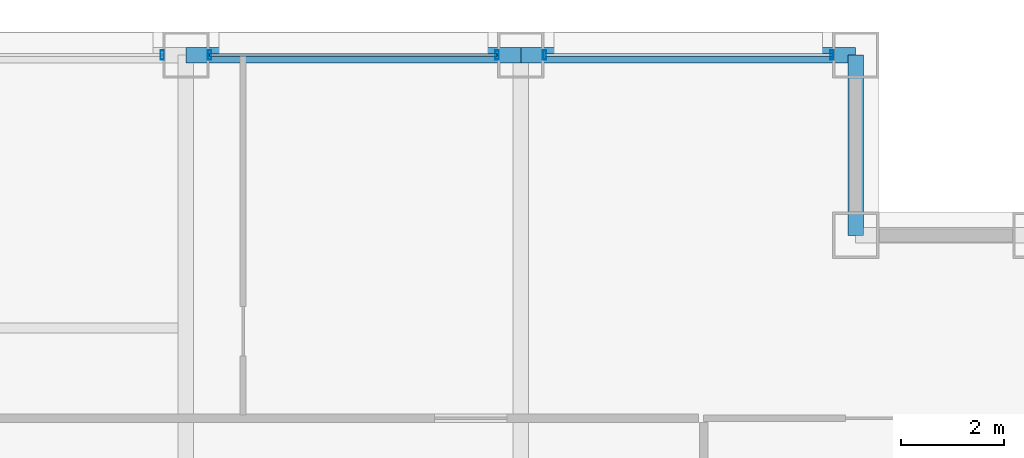
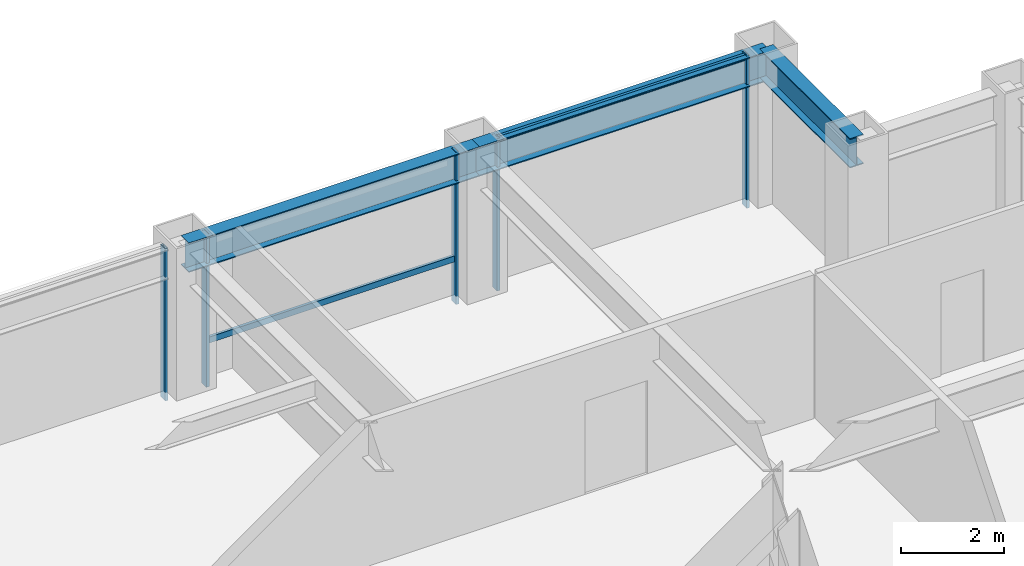
# One storey, part 21 of 30: 7 members, 3 beams, 3 elements without a shape of their own.
"""IFC4 building model written with IfcOpenShell, lengths in metres."""

from ifc_helpers import new_model, si_unit, direction, frame, origin, origin_2d, place, context, subcontext, project, spatial, hollow_rectangle, i_section, extrude, material, layer, layer_set, material_profile, profile_set, type_object, element, aggregate, save


model = new_model("IFC4")

# Units and contexts
model_context = context("Model", 3, precision=1e-05, world=origin(), true_north=direction((0.0, 1.0)))
body_context = subcontext(model_context, "Body", "Model", "MODEL_VIEW")
ifc_project = project(units=[si_unit("LENGTHUNIT", "METRE"), si_unit("AREAUNIT", "SQUARE_METRE"), si_unit("VOLUMEUNIT", "CUBIC_METRE"), si_unit("PLANEANGLEUNIT", "RADIAN"), si_unit("MASSUNIT", "GRAM", prefix="KILO")], contexts=[model_context])

# Site, building, storey
site_placement = place(None, origin())
site = spatial("IfcSite", under=ifc_project, at=site_placement, CompositionType="ELEMENT")
building_placement = place(site_placement, origin())
building = spatial("IfcBuilding", under=site, at=building_placement, Name="Brelmoor Portico Tower", CompositionType="ELEMENT")
storey_placement = place(building_placement, frame((0.0, 0.0, 74.39990234375)))
storey = spatial("IfcBuildingStorey", under=building, at=storey_placement, Name="L19", CompositionType="ELEMENT", Elevation=74.39990234375)

# Beams
ifc_material_1 = material(Name="Steel Q355B", Category="steel")
ifc_material_profile_1 = material_profile(ifc_material_1, i_section(OverallWidth=0.300048828125, OverallDepth=0.699951171875, WebThickness=0.012939453125, FlangeThickness=0.02392578125, at=origin_2d()), Name="HN 700x300x13x24")
ifc_profile_set_1 = profile_set([ifc_material_profile_1], Name="Steel Q355B")
beam_type = type_object("IfcBeamType", Name="BM-SP-700", PredefinedType="SPANDREL", material=ifc_profile_set_1)
for number, where, z_axis, x_axis, name in (
    (1, (8.050048828125, 21.550048828125, 3.050048828125), (1.0, 0.0, 0.0), (0.0, 1.0, 0.0), "L19 Perimeter Spandrel Beam SP-13"),
    (2, (14.550048828125, 21.550048828125, 3.050048828125), (1.0, 0.0, 0.0), (0.0, 1.0, 0.0), "L19 Perimeter Spandrel Beam SP-14"),
):
    element("IfcBeam", number, at=place(storey_placement, frame(where, z_axis=z_axis, x_axis=x_axis)), inside=storey, type_object=beam_type, Name=name, PredefinedType="SPANDREL", context=body_context, shape_type="SweptSolid", body=[
        extrude(i_section(OverallWidth=0.300048828125, OverallDepth=0.699951171875, WebThickness=0.012939453125, FlangeThickness=0.02392578125, at=origin_2d()), origin(), (0.0, 0.0, 1.0), 6.5),
    ])
beam_placement = place(storey_placement, frame((21.050048828125, 18.050048828125, 3.050048828125), z_axis=(0.0, 1.0, 0.0), x_axis=(-1.0, 0.0, 0.0)))
element("IfcBeam", 3, at=beam_placement, inside=storey, type_object=beam_type, Name="L19 Perimeter Spandrel Beam SP-21", PredefinedType="SPANDREL", context=body_context, shape_type="SweptSolid", body=[
    extrude(i_section(OverallWidth=0.300048828125, OverallDepth=0.699951171875, WebThickness=0.012939453125, FlangeThickness=0.02392578125, at=origin_2d()), origin(), (0.0, 0.0, 1.0), 3.5),
])

# Curtain wall, member
ifc_material_2 = material(Name="Anodised Aluminium Alloy 6063-T6", Category="aluminium")
ifc_layer_1 = layer(ifc_material_2, 0.179931640625)
ifc_layer_set_1 = layer_set([ifc_layer_1], Name="Anodised Aluminium Alloy 6063-T6")
curtain_wall_type_1 = type_object("IfcCurtainWallType", Name="CW-TOWER-Z1-XB", PredefinedType="NOTDEFINED", material=ifc_layer_set_1)
curtain_wall_1_placement = place(storey_placement, origin())
curtain_wall_1 = element("IfcCurtainWall", 4, at=curtain_wall_1_placement, inside=storey, type_object=curtain_wall_type_1, Name="L19 Curtain Wall CW-L19-02-3", PredefinedType="NOTDEFINED")
ifc_material_profile_2 = material_profile(ifc_material_2, hollow_rectangle(XDim=0.06494140625, YDim=0.179931640625, WallThickness=0.00390625, at=origin_2d()), Name="ALU MULLION 65x180")
ifc_profile_set_2 = profile_set([ifc_material_profile_2], Name="Anodised Aluminium Alloy 6063-T6")
member_type_1 = type_object("IfcMemberType", Name="MB-CW-MULL-180", PredefinedType="MULLION", material=ifc_profile_set_2)
member_1_placement = place(storey_placement, frame((7.590087890625, 21.550048828125, -0.199951171875), z_axis=(0.0, 0.0, 1.0), x_axis=(1.0, 0.0, 0.0)))
member_1 = element("IfcMember", 5, at=member_1_placement, type_object=member_type_1, Name="CW-L19-02-3 Mullion 01", PredefinedType="MULLION", context=body_context, shape_type="SweptSolid", body=[
    extrude(hollow_rectangle(XDim=0.06494140625, YDim=0.179931640625, WallThickness=0.00390625, at=origin_2d()), origin(), (0.0, 0.0, 1.0), 3.60009765625),
])
aggregate(curtain_wall_1, [member_1])

# Curtain wall, members
ifc_layer_2 = layer(ifc_material_2, 0.179931640625)
ifc_layer_set_2 = layer_set([ifc_layer_2], Name="Anodised Aluminium Alloy 6063-T6")
curtain_wall_type_2 = type_object("IfcCurtainWallType", Name="CW-TOWER-Z1", PredefinedType="NOTDEFINED", material=ifc_layer_set_2)
curtain_wall_2_placement = place(storey_placement, origin())
curtain_wall_2 = element("IfcCurtainWall", 6, at=curtain_wall_2_placement, inside=storey, type_object=curtain_wall_type_2, Name="L19 Curtain Wall CW-L19-02-4", PredefinedType="NOTDEFINED")
member_2_placement = place(storey_placement, frame((8.510009765625, 21.550048828125, -0.199951171875), z_axis=(0.0, 0.0, 1.0), x_axis=(1.0, 0.0, 0.0)))
member_2 = element("IfcMember", 7, at=member_2_placement, type_object=member_type_1, Name="CW-L19-02-4 Mullion 00", PredefinedType="MULLION", context=body_context, shape_type="SweptSolid", body=[
    extrude(hollow_rectangle(XDim=0.06494140625, YDim=0.179931640625, WallThickness=0.00390625, at=origin_2d()), origin(), (0.0, 0.0, 1.0), 3.60009765625),
])
member_3_placement = place(storey_placement, frame((14.090087890625, 21.550048828125, -0.199951171875), z_axis=(0.0, 0.0, 1.0), x_axis=(1.0, 0.0, 0.0)))
member_3 = element("IfcMember", 8, at=member_3_placement, type_object=member_type_1, Name="CW-L19-02-4 Mullion 01", PredefinedType="MULLION", context=body_context, shape_type="SweptSolid", body=[
    extrude(hollow_rectangle(XDim=0.06494140625, YDim=0.179931640625, WallThickness=0.00390625, at=origin_2d()), origin(), (0.0, 0.0, 1.0), 3.60009765625),
])

curtain_wall_3_placement = place(storey_placement, origin())
curtain_wall_3 = element("IfcCurtainWall", 9, at=curtain_wall_3_placement, inside=storey, type_object=curtain_wall_type_1, Name="L19 Curtain Wall CW-L19-02-5", PredefinedType="NOTDEFINED")
member_4_placement = place(storey_placement, frame((15.010009765625, 21.550048828125, -0.199951171875), z_axis=(0.0, 0.0, 1.0), x_axis=(1.0, 0.0, 0.0)))
member_4 = element("IfcMember", 10, at=member_4_placement, type_object=member_type_1, Name="CW-L19-02-5 Mullion 00", PredefinedType="MULLION", context=body_context, shape_type="SweptSolid", body=[
    extrude(hollow_rectangle(XDim=0.06494140625, YDim=0.179931640625, WallThickness=0.00390625, at=origin_2d()), origin(), (0.0, 0.0, 1.0), 3.60009765625),
])
member_5_placement = place(storey_placement, frame((20.590087890625, 21.550048828125, -0.199951171875), z_axis=(0.0, 0.0, 1.0), x_axis=(1.0, 0.0, 0.0)))
member_5 = element("IfcMember", 11, at=member_5_placement, type_object=member_type_1, Name="CW-L19-02-5 Mullion 01", PredefinedType="MULLION", context=body_context, shape_type="SweptSolid", body=[
    extrude(hollow_rectangle(XDim=0.06494140625, YDim=0.179931640625, WallThickness=0.00390625, at=origin_2d()), origin(), (0.0, 0.0, 1.0), 3.60009765625),
])

# Member
ifc_material_profile_3 = material_profile(ifc_material_2, hollow_rectangle(XDim=0.06494140625, YDim=0.139892578125, WallThickness=0.00390625, at=origin_2d()), Name="ALU TRANSOM 65x140")
ifc_profile_set_3 = profile_set([ifc_material_profile_3], Name="Anodised Aluminium Alloy 6063-T6")
member_type_2 = type_object("IfcMemberType", Name="MB-CW-TRAN-140", PredefinedType="USERDEFINED", material=ifc_profile_set_3)
member_6_placement = place(storey_placement, frame((8.510009765625, 21.550048828125, 0.85009765625), z_axis=(1.0, 0.0, 0.0), x_axis=(0.0, 1.0, 0.0)))
member_6 = element("IfcMember", 12, at=member_6_placement, type_object=member_type_2, Name="CW-L19-02-4 Transom 1-00", ObjectType="TRANSOM", PredefinedType="USERDEFINED", context=body_context, shape_type="SweptSolid", body=[
    extrude(hollow_rectangle(XDim=0.06494140625, YDim=0.139892578125, WallThickness=0.00390625, at=origin_2d()), origin(), (0.0, 0.0, 1.0), 5.580078125),
])

aggregate(curtain_wall_2, [member_2, member_3, member_6])

member_7_placement = place(storey_placement, frame((15.010009765625, 21.550048828125, 3.330078125), z_axis=(1.0, 0.0, 0.0), x_axis=(0.0, 1.0, 0.0)))
member_7 = element("IfcMember", 13, at=member_7_placement, type_object=member_type_2, Name="CW-L19-02-5 Transom 1-00", ObjectType="TRANSOM", PredefinedType="USERDEFINED", context=body_context, shape_type="SweptSolid", body=[
    extrude(hollow_rectangle(XDim=0.06494140625, YDim=0.139892578125, WallThickness=0.00390625, at=origin_2d()), origin(), (0.0, 0.0, 1.0), 5.580078125),
])

aggregate(curtain_wall_3, [member_4, member_5, member_7])

save(model, "model.ifc")
